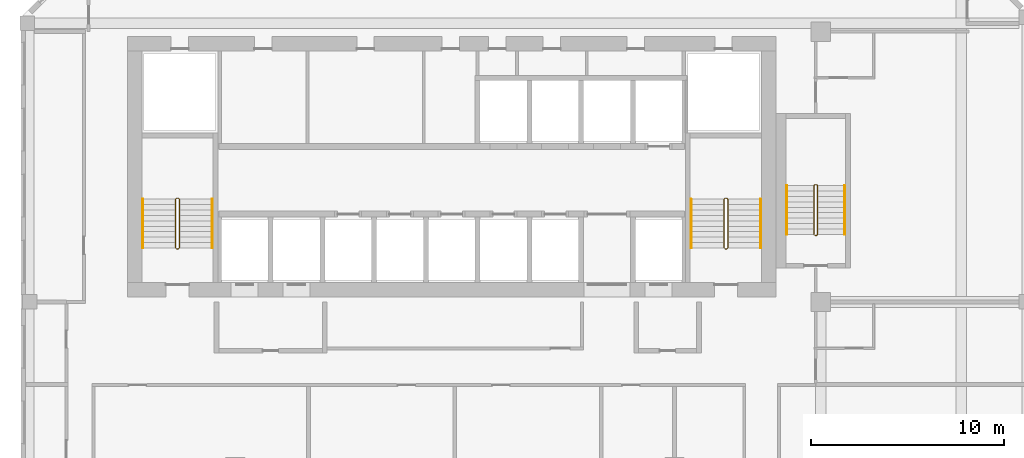
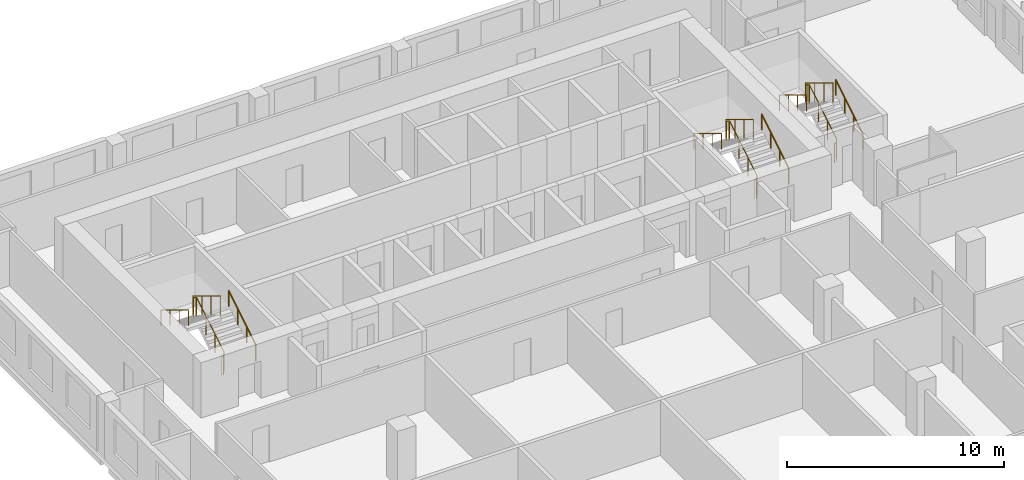
# One storey, part 21 of 22: 9 railings.
"""IFC4 building model written with IfcOpenShell, lengths in metres."""

from ifc_helpers import new_model, si_unit, direction, frame, origin, origin_2d, place, context, subcontext, project, spatial, circle, extrude, material, type_object, element, save


model = new_model("IFC4")

# Units and contexts
model_context = context("Model", 3, precision=1e-05, world=origin(), true_north=direction((0.0, 1.0)))
body_context = subcontext(model_context, "Body", "Model", "MODEL_VIEW")
ifc_project = project(units=[si_unit("LENGTHUNIT", "METRE"), si_unit("AREAUNIT", "SQUARE_METRE"), si_unit("VOLUMEUNIT", "CUBIC_METRE"), si_unit("PLANEANGLEUNIT", "RADIAN"), si_unit("MASSUNIT", "GRAM", prefix="KILO")], contexts=[model_context])

# Site, building, storey
site_placement = place(None, origin())
site = spatial("IfcSite", under=ifc_project, at=site_placement, CompositionType="ELEMENT")
building_placement = place(site_placement, origin())
building = spatial("IfcBuilding", under=site, at=building_placement, Name="Kilnfold Tower and Market Hall", CompositionType="ELEMENT")
storey_placement = place(building_placement, frame((0.0, 0.0, 213.5)))
storey = spatial("IfcBuildingStorey", under=building, at=storey_placement, Name="L52", CompositionType="ELEMENT", Elevation=213.5)

# Railings
ifc_material_1 = material(Name="Stainless steel 316", Category="steel")
railing_type_1 = type_object("IfcRailingType", Name="CORE STAIR GUARD 1100", PredefinedType="GUARDRAIL", material=ifc_material_1)
railing_1_placement = place(storey_placement, frame((-13.199951171875, 10.75, 0.0)))
element("IfcRailing", 1, at=railing_1_placement, inside=storey, type_object=railing_type_1, Name="L52 ST1 stair guard 1", PredefinedType="GUARDRAIL", context=body_context, shape_type="SweptSolid", body=[
    extrude(circle(Radius=0.02392578125, at=origin_2d()), frame((0.0, 0.0, 1.076171875), z_axis=(1.0, 0.0, 0.0), x_axis=(0.0, 1.0, 0.0)), (0.0, 0.0, 1.0), 0.099853515625),
    extrude(circle(Radius=0.02392578125, at=origin_2d()), frame((0.099853515625, 0.0, 1.076171875), z_axis=(0.271895245746, 0.271895245746, 0.923117517265), x_axis=(-0.707106781187, 0.707106781187, 0.0)), (0.0, 0.0, 1.0), 0.18408203125),
    extrude(circle(Radius=0.02392578125, at=origin_2d()), frame((0.14990234375, 0.050048828125, 1.24609375), z_axis=(0.0, 0.85478489116, 0.518982456201), x_axis=(-1.0, 0.0, 0.0)), (0.0, 0.0, 1.0), 2.9482421875),
    extrude(circle(Radius=0.02392578125, at=origin_2d()), frame((0.14990234375, 2.570068359375, 2.77587890625), z_axis=(-0.707106781187, 0.707106781187, 0.0), x_axis=(-0.707106781187, -0.707106781187, 0.0)), (0.0, 0.0, 1.0), 0.07080078125),
    extrude(circle(Radius=0.02392578125, at=origin_2d()), frame((0.099853515625, 2.6201171875, 2.77587890625), z_axis=(-1.0, 0.0, 0.0), x_axis=(0.0, -1.0, 0.0)), (0.0, 0.0, 1.0), 0.099853515625),
    extrude(circle(Radius=0.02392578125, at=origin_2d()), frame((0.0, 2.6201171875, 2.77587890625), z_axis=(-0.271562723297, -0.271562723297, 0.923313259209), x_axis=(0.707106781187, -0.707106781187, 0.0)), (0.0, 0.0, 1.0), 0.184326171875),
    extrude(circle(Radius=0.02392578125, at=origin_2d()), frame((-0.050048828125, 2.570068359375, 2.9462890625), z_axis=(0.0, -0.854821627497, 0.518921945155), x_axis=(1.0, 0.0, 0.0)), (0.0, 0.0, 1.0), 2.947998046875),
    extrude(circle(Radius=0.02099609375, at=origin_2d()), origin(), (0.0, 0.0, 1.0), 1.052001953125),
    extrude(circle(Radius=0.02099609375, at=origin_2d()), frame((0.099853515625, 0.0, 0.0)), (0.0, 0.0, 1.0), 1.052001953125),
    extrude(circle(Radius=0.02099609375, at=origin_2d()), frame((0.14990234375, 0.050048828125, 0.169921875)), (0.0, 0.0, 1.0), 1.052001953125),
    extrude(circle(Radius=0.02099609375, at=origin_2d()), frame((0.14990234375, 0.89013671875, 0.679931640625)), (0.0, 0.0, 1.0), 1.052001953125),
    extrude(circle(Radius=0.02099609375, at=origin_2d()), frame((0.14990234375, 1.72998046875, 1.18994140625)), (0.0, 0.0, 1.0), 1.052001953125),
    extrude(circle(Radius=0.02099609375, at=origin_2d()), frame((0.14990234375, 2.570068359375, 1.699951171875)), (0.0, 0.0, 1.0), 1.052001953125),
    extrude(circle(Radius=0.02099609375, at=origin_2d()), frame((0.099853515625, 2.6201171875, 1.699951171875)), (0.0, 0.0, 1.0), 1.052001953125),
    extrude(circle(Radius=0.02099609375, at=origin_2d()), frame((0.0, 2.6201171875, 1.699951171875)), (0.0, 0.0, 1.0), 1.052001953125),
    extrude(circle(Radius=0.02099609375, at=origin_2d()), frame((-0.050048828125, 2.570068359375, 1.8701171875)), (0.0, 0.0, 1.0), 1.052001953125),
    extrude(circle(Radius=0.02099609375, at=origin_2d()), frame((-0.050048828125, 1.72998046875, 2.380126953125)), (0.0, 0.0, 1.0), 1.052001953125),
    extrude(circle(Radius=0.02099609375, at=origin_2d()), frame((-0.050048828125, 0.89013671875, 2.889892578125)), (0.0, 0.0, 1.0), 1.052001953125),
    extrude(circle(Radius=0.02099609375, at=origin_2d()), frame((-0.050048828125, 0.050048828125, 3.39990234375)), (0.0, 0.0, 1.0), 1.052001953125),
])
railing_2_placement = place(storey_placement, frame((15.199951171875, 10.75, 0.0)))
element("IfcRailing", 2, at=railing_2_placement, inside=storey, type_object=railing_type_1, Name="L52 ST2 stair guard 1", PredefinedType="GUARDRAIL", context=body_context, shape_type="SweptSolid", body=[
    extrude(circle(Radius=0.02392578125, at=origin_2d()), frame((0.0, 0.0, 1.076171875), z_axis=(1.0, 0.0, 0.0), x_axis=(0.0, 1.0, 0.0)), (0.0, 0.0, 1.0), 0.10009765625),
    extrude(circle(Radius=0.02392578125, at=origin_2d()), frame((0.10009765625, 0.0, 1.076171875), z_axis=(0.271895245746, 0.271895245746, 0.923117517265), x_axis=(-0.707106781187, 0.707106781187, 0.0)), (0.0, 0.0, 1.0), 0.18408203125),
    extrude(circle(Radius=0.02392578125, at=origin_2d()), frame((0.150146484375, 0.050048828125, 1.24609375), z_axis=(0.0, 0.85478489116, 0.518982456201), x_axis=(-1.0, 0.0, 0.0)), (0.0, 0.0, 1.0), 2.9482421875),
    extrude(circle(Radius=0.02392578125, at=origin_2d()), frame((0.150146484375, 2.570068359375, 2.77587890625), z_axis=(-0.707106781187, 0.707106781187, 0.0), x_axis=(-0.707106781187, -0.707106781187, 0.0)), (0.0, 0.0, 1.0), 0.07080078125),
    extrude(circle(Radius=0.02392578125, at=origin_2d()), frame((0.10009765625, 2.6201171875, 2.77587890625), z_axis=(-1.0, 0.0, 0.0), x_axis=(0.0, -1.0, 0.0)), (0.0, 0.0, 1.0), 0.10009765625),
    extrude(circle(Radius=0.02392578125, at=origin_2d()), frame((0.0, 2.6201171875, 2.77587890625), z_axis=(-0.271562723297, -0.271562723297, 0.923313259209), x_axis=(0.707106781187, -0.707106781187, 0.0)), (0.0, 0.0, 1.0), 0.184326171875),
    extrude(circle(Radius=0.02392578125, at=origin_2d()), frame((-0.050048828125, 2.570068359375, 2.9462890625), z_axis=(0.0, -0.854821627497, 0.518921945155), x_axis=(1.0, 0.0, 0.0)), (0.0, 0.0, 1.0), 2.947998046875),
    extrude(circle(Radius=0.02099609375, at=origin_2d()), origin(), (0.0, 0.0, 1.0), 1.052001953125),
    extrude(circle(Radius=0.02099609375, at=origin_2d()), frame((0.10009765625, 0.0, 0.0)), (0.0, 0.0, 1.0), 1.052001953125),
    extrude(circle(Radius=0.02099609375, at=origin_2d()), frame((0.150146484375, 0.050048828125, 0.169921875)), (0.0, 0.0, 1.0), 1.052001953125),
    extrude(circle(Radius=0.02099609375, at=origin_2d()), frame((0.150146484375, 0.89013671875, 0.679931640625)), (0.0, 0.0, 1.0), 1.052001953125),
    extrude(circle(Radius=0.02099609375, at=origin_2d()), frame((0.150146484375, 1.72998046875, 1.18994140625)), (0.0, 0.0, 1.0), 1.052001953125),
    extrude(circle(Radius=0.02099609375, at=origin_2d()), frame((0.150146484375, 2.570068359375, 1.699951171875)), (0.0, 0.0, 1.0), 1.052001953125),
    extrude(circle(Radius=0.02099609375, at=origin_2d()), frame((0.10009765625, 2.6201171875, 1.699951171875)), (0.0, 0.0, 1.0), 1.052001953125),
    extrude(circle(Radius=0.02099609375, at=origin_2d()), frame((0.0, 2.6201171875, 1.699951171875)), (0.0, 0.0, 1.0), 1.052001953125),
    extrude(circle(Radius=0.02099609375, at=origin_2d()), frame((-0.050048828125, 2.570068359375, 1.8701171875)), (0.0, 0.0, 1.0), 1.052001953125),
    extrude(circle(Radius=0.02099609375, at=origin_2d()), frame((-0.050048828125, 1.72998046875, 2.380126953125)), (0.0, 0.0, 1.0), 1.052001953125),
    extrude(circle(Radius=0.02099609375, at=origin_2d()), frame((-0.050048828125, 0.89013671875, 2.889892578125)), (0.0, 0.0, 1.0), 1.052001953125),
    extrude(circle(Radius=0.02099609375, at=origin_2d()), frame((-0.050048828125, 0.050048828125, 3.39990234375)), (0.0, 0.0, 1.0), 1.052001953125),
])
railing_3_placement = place(storey_placement, frame((19.85009765625, 11.449951171875, 0.0)))
element("IfcRailing", 3, at=railing_3_placement, inside=storey, type_object=railing_type_1, Name="L52 ST5 stair guard 1", PredefinedType="GUARDRAIL", context=body_context, shape_type="SweptSolid", body=[
    extrude(circle(Radius=0.02392578125, at=origin_2d()), frame((0.0, 0.0, 1.076171875), z_axis=(1.0, 0.0, 0.0), x_axis=(0.0, 1.0, 0.0)), (0.0, 0.0, 1.0), 0.099853515625),
    extrude(circle(Radius=0.02392578125, at=origin_2d()), frame((0.099853515625, 0.0, 1.076171875), z_axis=(0.271895245746, 0.271895245746, 0.923117517265), x_axis=(-0.707106781187, 0.707106781187, 0.0)), (0.0, 0.0, 1.0), 0.18408203125),
    extrude(circle(Radius=0.02392578125, at=origin_2d()), frame((0.14990234375, 0.050048828125, 1.24609375), z_axis=(0.0, 0.85478489116, 0.518982456201), x_axis=(-1.0, 0.0, 0.0)), (0.0, 0.0, 1.0), 2.9482421875),
    extrude(circle(Radius=0.02392578125, at=origin_2d()), frame((0.14990234375, 2.570068359375, 2.77587890625), z_axis=(-0.707106781187, 0.707106781187, 0.0), x_axis=(-0.707106781187, -0.707106781187, 0.0)), (0.0, 0.0, 1.0), 0.07080078125),
    extrude(circle(Radius=0.02392578125, at=origin_2d()), frame((0.099853515625, 2.6201171875, 2.77587890625), z_axis=(-1.0, 0.0, 0.0), x_axis=(0.0, -1.0, 0.0)), (0.0, 0.0, 1.0), 0.099853515625),
    extrude(circle(Radius=0.02392578125, at=origin_2d()), frame((0.0, 2.6201171875, 2.77587890625), z_axis=(-0.271562723297, -0.271562723297, 0.923313259209), x_axis=(0.707106781187, -0.707106781187, 0.0)), (0.0, 0.0, 1.0), 0.184326171875),
    extrude(circle(Radius=0.02392578125, at=origin_2d()), frame((-0.050048828125, 2.570068359375, 2.9462890625), z_axis=(0.0, -0.854821627497, 0.518921945155), x_axis=(1.0, 0.0, 0.0)), (0.0, 0.0, 1.0), 2.947998046875),
    extrude(circle(Radius=0.02099609375, at=origin_2d()), origin(), (0.0, 0.0, 1.0), 1.052001953125),
    extrude(circle(Radius=0.02099609375, at=origin_2d()), frame((0.099853515625, 0.0, 0.0)), (0.0, 0.0, 1.0), 1.052001953125),
    extrude(circle(Radius=0.02099609375, at=origin_2d()), frame((0.14990234375, 0.050048828125, 0.169921875)), (0.0, 0.0, 1.0), 1.052001953125),
    extrude(circle(Radius=0.02099609375, at=origin_2d()), frame((0.14990234375, 0.89013671875, 0.679931640625)), (0.0, 0.0, 1.0), 1.052001953125),
    extrude(circle(Radius=0.02099609375, at=origin_2d()), frame((0.14990234375, 1.72998046875, 1.18994140625)), (0.0, 0.0, 1.0), 1.052001953125),
    extrude(circle(Radius=0.02099609375, at=origin_2d()), frame((0.14990234375, 2.570068359375, 1.699951171875)), (0.0, 0.0, 1.0), 1.052001953125),
    extrude(circle(Radius=0.02099609375, at=origin_2d()), frame((0.099853515625, 2.6201171875, 1.699951171875)), (0.0, 0.0, 1.0), 1.052001953125),
    extrude(circle(Radius=0.02099609375, at=origin_2d()), frame((0.0, 2.6201171875, 1.699951171875)), (0.0, 0.0, 1.0), 1.052001953125),
    extrude(circle(Radius=0.02099609375, at=origin_2d()), frame((-0.050048828125, 2.570068359375, 1.8701171875)), (0.0, 0.0, 1.0), 1.052001953125),
    extrude(circle(Radius=0.02099609375, at=origin_2d()), frame((-0.050048828125, 1.72998046875, 2.380126953125)), (0.0, 0.0, 1.0), 1.052001953125),
    extrude(circle(Radius=0.02099609375, at=origin_2d()), frame((-0.050048828125, 0.89013671875, 2.889892578125)), (0.0, 0.0, 1.0), 1.052001953125),
    extrude(circle(Radius=0.02099609375, at=origin_2d()), frame((-0.050048828125, 0.050048828125, 3.39990234375)), (0.0, 0.0, 1.0), 1.052001953125),
])
ifc_material_2 = material(Name="Stainless steel 316", Category="steel")
railing_type_2 = type_object("IfcRailingType", Name="CORE STAIR HANDRAIL 900", PredefinedType="HANDRAIL", material=ifc_material_2)
railing_4_placement = place(storey_placement, frame((-11.35009765625, 10.800048828125, 0.169921875)))
element("IfcRailing", 4, at=railing_4_placement, inside=storey, type_object=railing_type_2, Name="L52 ST1 stair handrail 1", PredefinedType="HANDRAIL", context=body_context, shape_type="SweptSolid", body=[
    extrude(circle(Radius=0.02392578125, at=origin_2d()), frame((0.0, 0.0, 0.8759765625), z_axis=(0.0, 0.85478489116, 0.518982456201), x_axis=(-1.0, 0.0, 0.0)), (0.0, 0.0, 1.0), 2.9482421875),
    extrude(circle(Radius=0.02099609375, at=origin_2d()), origin(), (0.0, 0.0, 1.0), 0.851806640625),
    extrude(circle(Radius=0.02099609375, at=origin_2d()), frame((0.0, 0.840087890625, 0.510009765625)), (0.0, 0.0, 1.0), 0.851806640625),
    extrude(circle(Radius=0.02099609375, at=origin_2d()), frame((0.0, 1.679931640625, 1.02001953125)), (0.0, 0.0, 1.0), 0.851806640625),
    extrude(circle(Radius=0.02099609375, at=origin_2d()), frame((0.0, 2.52001953125, 1.530029296875)), (0.0, 0.0, 1.0), 0.851806640625),
])
railing_5_placement = place(storey_placement, frame((-14.949951171875, 13.320068359375, 1.8701171875)))
element("IfcRailing", 5, at=railing_5_placement, inside=storey, type_object=railing_type_2, Name="L52 ST1 stair handrail 2", PredefinedType="HANDRAIL", context=body_context, shape_type="SweptSolid", body=[
    extrude(circle(Radius=0.02392578125, at=origin_2d()), frame((0.0, 0.0, 0.8759765625), z_axis=(0.0, -0.854821627497, 0.518921945155), x_axis=(1.0, 0.0, 0.0)), (0.0, 0.0, 1.0), 2.947998046875),
    extrude(circle(Radius=0.02099609375, at=origin_2d()), origin(), (0.0, 0.0, 1.0), 0.851806640625),
    extrude(circle(Radius=0.02099609375, at=origin_2d()), frame((0.0, -0.840087890625, 0.510009765625)), (0.0, 0.0, 1.0), 0.851806640625),
    extrude(circle(Radius=0.02099609375, at=origin_2d()), frame((0.0, -1.679931640625, 1.019775390625)), (0.0, 0.0, 1.0), 0.851806640625),
    extrude(circle(Radius=0.02099609375, at=origin_2d()), frame((0.0, -2.52001953125, 1.52978515625)), (0.0, 0.0, 1.0), 0.851806640625),
])
railing_6_placement = place(storey_placement, frame((17.050048828125, 10.800048828125, 0.169921875)))
element("IfcRailing", 6, at=railing_6_placement, inside=storey, type_object=railing_type_2, Name="L52 ST2 stair handrail 1", PredefinedType="HANDRAIL", context=body_context, shape_type="SweptSolid", body=[
    extrude(circle(Radius=0.02392578125, at=origin_2d()), frame((0.0, 0.0, 0.8759765625), z_axis=(0.0, 0.85478489116, 0.518982456201), x_axis=(-1.0, 0.0, 0.0)), (0.0, 0.0, 1.0), 2.9482421875),
    extrude(circle(Radius=0.02099609375, at=origin_2d()), origin(), (0.0, 0.0, 1.0), 0.851806640625),
    extrude(circle(Radius=0.02099609375, at=origin_2d()), frame((0.0, 0.840087890625, 0.510009765625)), (0.0, 0.0, 1.0), 0.851806640625),
    extrude(circle(Radius=0.02099609375, at=origin_2d()), frame((0.0, 1.679931640625, 1.02001953125)), (0.0, 0.0, 1.0), 0.851806640625),
    extrude(circle(Radius=0.02099609375, at=origin_2d()), frame((0.0, 2.52001953125, 1.530029296875)), (0.0, 0.0, 1.0), 0.851806640625),
])
railing_7_placement = place(storey_placement, frame((13.449951171875, 13.320068359375, 1.8701171875)))
element("IfcRailing", 7, at=railing_7_placement, inside=storey, type_object=railing_type_2, Name="L52 ST2 stair handrail 2", PredefinedType="HANDRAIL", context=body_context, shape_type="SweptSolid", body=[
    extrude(circle(Radius=0.02392578125, at=origin_2d()), frame((0.0, 0.0, 0.8759765625), z_axis=(0.0, -0.854821627497, 0.518921945155), x_axis=(1.0, 0.0, 0.0)), (0.0, 0.0, 1.0), 2.947998046875),
    extrude(circle(Radius=0.02099609375, at=origin_2d()), origin(), (0.0, 0.0, 1.0), 0.851806640625),
    extrude(circle(Radius=0.02099609375, at=origin_2d()), frame((0.0, -0.840087890625, 0.510009765625)), (0.0, 0.0, 1.0), 0.851806640625),
    extrude(circle(Radius=0.02099609375, at=origin_2d()), frame((0.0, -1.679931640625, 1.019775390625)), (0.0, 0.0, 1.0), 0.851806640625),
    extrude(circle(Radius=0.02099609375, at=origin_2d()), frame((0.0, -2.52001953125, 1.52978515625)), (0.0, 0.0, 1.0), 0.851806640625),
])
railing_8_placement = place(storey_placement, frame((21.39990234375, 11.5, 0.169921875)))
element("IfcRailing", 8, at=railing_8_placement, inside=storey, type_object=railing_type_2, Name="L52 ST5 stair handrail 1", PredefinedType="HANDRAIL", context=body_context, shape_type="SweptSolid", body=[
    extrude(circle(Radius=0.02392578125, at=origin_2d()), frame((0.0, 0.0, 0.8759765625), z_axis=(0.0, 0.85478489116, 0.518982456201), x_axis=(-1.0, 0.0, 0.0)), (0.0, 0.0, 1.0), 2.9482421875),
    extrude(circle(Radius=0.02099609375, at=origin_2d()), origin(), (0.0, 0.0, 1.0), 0.851806640625),
    extrude(circle(Radius=0.02099609375, at=origin_2d()), frame((0.0, 0.840087890625, 0.510009765625)), (0.0, 0.0, 1.0), 0.851806640625),
    extrude(circle(Radius=0.02099609375, at=origin_2d()), frame((0.0, 1.679931640625, 1.02001953125)), (0.0, 0.0, 1.0), 0.851806640625),
    extrude(circle(Radius=0.02099609375, at=origin_2d()), frame((0.0, 2.52001953125, 1.530029296875)), (0.0, 0.0, 1.0), 0.851806640625),
])
railing_9_placement = place(storey_placement, frame((18.39990234375, 14.02001953125, 1.8701171875)))
element("IfcRailing", 9, at=railing_9_placement, inside=storey, type_object=railing_type_2, Name="L52 ST5 stair handrail 2", PredefinedType="HANDRAIL", context=body_context, shape_type="SweptSolid", body=[
    extrude(circle(Radius=0.02392578125, at=origin_2d()), frame((0.0, 0.0, 0.8759765625), z_axis=(0.0, -0.854821627497, 0.518921945155), x_axis=(1.0, 0.0, 0.0)), (0.0, 0.0, 1.0), 2.947998046875),
    extrude(circle(Radius=0.02099609375, at=origin_2d()), origin(), (0.0, 0.0, 1.0), 0.851806640625),
    extrude(circle(Radius=0.02099609375, at=origin_2d()), frame((0.0, -0.840087890625, 0.510009765625)), (0.0, 0.0, 1.0), 0.851806640625),
    extrude(circle(Radius=0.02099609375, at=origin_2d()), frame((0.0, -1.679931640625, 1.019775390625)), (0.0, 0.0, 1.0), 0.851806640625),
    extrude(circle(Radius=0.02099609375, at=origin_2d()), frame((0.0, -2.52001953125, 1.52978515625)), (0.0, 0.0, 1.0), 0.851806640625),
])

save(model, "model.ifc")
